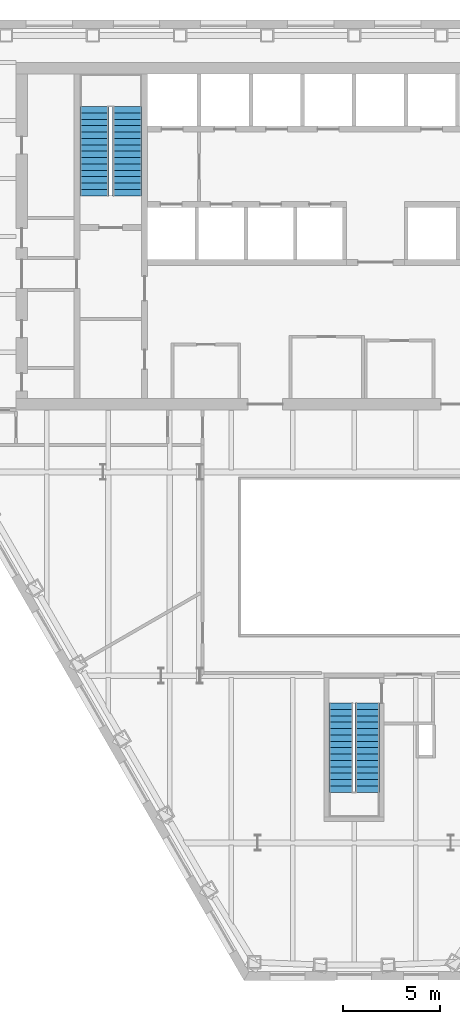
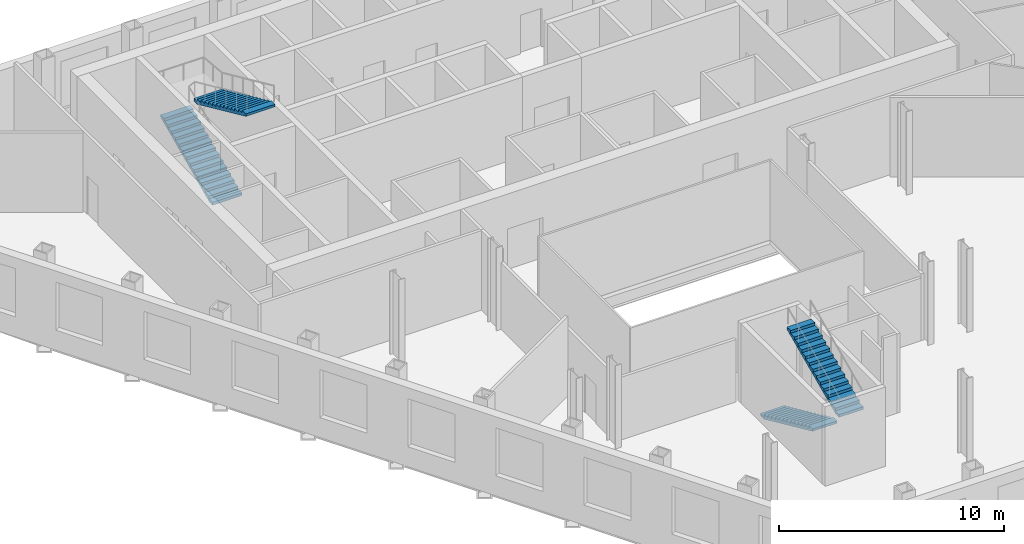
# One storey, part 9 of 11: 4 stair flights, 2 elements without a shape of their own.
"""IFC4 building model written with IfcOpenShell, lengths in metres."""

from ifc_helpers import new_model, si_unit, direction, frame, origin, place, context, subcontext, project, spatial, polygons, material, type_object, element, aggregate, save


model = new_model("IFC4")

# Units and contexts
model_context = context("Model", 3, precision=1e-05, world=origin(), true_north=direction((0.0, 1.0)))
body_context = subcontext(model_context, "Body", "Model", "MODEL_VIEW")
ifc_project = project(units=[si_unit("LENGTHUNIT", "METRE"), si_unit("AREAUNIT", "SQUARE_METRE"), si_unit("VOLUMEUNIT", "CUBIC_METRE"), si_unit("PLANEANGLEUNIT", "RADIAN"), si_unit("MASSUNIT", "GRAM", prefix="KILO")], contexts=[model_context])

# Site, building, storey
site_placement = place(None, origin())
site = spatial("IfcSite", under=ifc_project, at=site_placement, CompositionType="ELEMENT")
building_placement = place(site_placement, origin())
building = spatial("IfcBuilding", under=site, at=building_placement, Name="Njiva Tower", CompositionType="ELEMENT")
storey_placement = place(building_placement, frame((0.0, 0.0, 46.8)))
storey = spatial("IfcBuildingStorey", under=building, at=storey_placement, Name="L09", CompositionType="ELEMENT", Elevation=46.8)

# Stair, stair flights
ifc_material = material(Name="Concrete C40/50", Category="concrete")
stair_type_1 = type_object("IfcStairType", Name="ST1 Exit stair 1250", PredefinedType="HALF_TURN_STAIR", material=ifc_material)
stair_1_placement = place(storey_placement, origin())
stair_1 = element("IfcStair", 1, at=stair_1_placement, inside=storey, type_object=stair_type_1, Name="Stair C", PredefinedType="HALF_TURN_STAIR")
stair_flight_type_1 = type_object("IfcStairFlightType", Name="FL1 Stair flight 1250", PredefinedType="STRAIGHT", material=ifc_material)
stair_flight_1_placement = place(storey_placement, frame((-0.675, -15.16, 0.0), z_axis=(0.0, 0.0, 1.0), x_axis=(0.0, -1.0, 0.0)))
stair_flight_1 = element("IfcStairFlight", 2, at=stair_flight_1_placement, type_object=stair_flight_type_1, Name="ST-C flight 1", NumberOfRisers=15, NumberOfTreads=14, PredefinedType="STRAIGHT", RiserHeight=0.15, TreadLength=0.33, context=body_context, shape_type="Tessellation", body=[
    polygons([(0.0, 0.625, 0.0), (0.0, 0.3125, 0.0), (0.0, 0.0, 0.0), (0.0, -0.3125, 0.0), (0.0, -0.625, 0.0), (0.0, 0.625, 0.15), (0.0, 0.3125, 0.15), (0.0, 0.0, 0.15), (0.0, -0.3125, 0.15), (0.0, -0.625, 0.15), (0.33, 0.625, 0.15), (0.33, 0.3125, 0.15), (0.33, 0.0, 0.15), (0.33, -0.3125, 0.15), (0.33, -0.625, 0.15), (0.33, 0.625, 0.3), (0.33, 0.3125, 0.3), (0.33, 0.0, 0.3), (0.33, -0.3125, 0.3), (0.33, -0.625, 0.3), (0.66, 0.625, 0.3), (0.66, 0.3125, 0.3), (0.66, 0.0, 0.3), (0.66, -0.3125, 0.3), (0.66, -0.625, 0.3), (0.66, 0.625, 0.45), (0.66, 0.3125, 0.45), (0.66, 0.0, 0.45), (0.66, -0.3125, 0.45), (0.66, -0.625, 0.45), (0.99, 0.625, 0.45), (0.99, 0.3125, 0.45), (0.99, 0.0, 0.45), (0.99, -0.3125, 0.45), (0.99, -0.625, 0.45), (0.99, 0.625, 0.6), (0.99, 0.3125, 0.6), (0.99, 0.0, 0.6), (0.99, -0.3125, 0.6), (0.99, -0.625, 0.6), (1.32, 0.625, 0.6), (1.32, 0.3125, 0.6), (1.32, 0.0, 0.6), (1.32, -0.3125, 0.6), (1.32, -0.625, 0.6), (1.32, 0.625, 0.75), (1.32, 0.3125, 0.75), (1.32, 0.0, 0.75), (1.32, -0.3125, 0.75), (1.32, -0.625, 0.75), (1.65, 0.625, 0.75), (1.65, 0.3125, 0.75), (1.65, 0.0, 0.75), (1.65, -0.3125, 0.75), (1.65, -0.625, 0.75), (1.65, 0.625, 0.9), (1.65, 0.3125, 0.9), (1.65, 0.0, 0.9), (1.65, -0.3125, 0.9), (1.65, -0.625, 0.9), (1.98, 0.625, 0.9), (1.98, 0.3125, 0.9), (1.98, 0.0, 0.9), (1.98, -0.3125, 0.9), (1.98, -0.625, 0.9), (1.98, 0.625, 1.05), (1.98, 0.3125, 1.05), (1.98, 0.0, 1.05), (1.98, -0.3125, 1.05), (1.98, -0.625, 1.05), (2.31, 0.625, 1.05), (2.31, 0.3125, 1.05), (2.31, 0.0, 1.05), (2.31, -0.3125, 1.05), (2.31, -0.625, 1.05), (2.31, 0.625, 1.2), (2.31, 0.3125, 1.2), (2.31, 0.0, 1.2), (2.31, -0.3125, 1.2), (2.31, -0.625, 1.2), (2.64, 0.625, 1.2), (2.64, 0.3125, 1.2), (2.64, 0.0, 1.2), (2.64, -0.3125, 1.2), (2.64, -0.625, 1.2), (2.64, 0.625, 1.35), (2.64, 0.3125, 1.35), (2.64, 0.0, 1.35), (2.64, -0.3125, 1.35), (2.64, -0.625, 1.35), (2.97, 0.625, 1.35), (2.97, 0.3125, 1.35), (2.97, 0.0, 1.35), (2.97, -0.3125, 1.35), (2.97, -0.625, 1.35), (2.97, 0.625, 1.5), (2.97, 0.3125, 1.5), (2.97, 0.0, 1.5), (2.97, -0.3125, 1.5), (2.97, -0.625, 1.5), (3.3, 0.625, 1.5), (3.3, 0.3125, 1.5), (3.3, 0.0, 1.5), (3.3, -0.3125, 1.5), (3.3, -0.625, 1.5), (3.3, 0.625, 1.65), (3.3, 0.3125, 1.65), (3.3, 0.0, 1.65), (3.3, -0.3125, 1.65), (3.3, -0.625, 1.65), (3.63, 0.625, 1.65), (3.63, 0.3125, 1.65), (3.63, 0.0, 1.65), (3.63, -0.3125, 1.65), (3.63, -0.625, 1.65), (3.63, 0.625, 1.8), (3.63, 0.3125, 1.8), (3.63, 0.0, 1.8), (3.63, -0.3125, 1.8), (3.63, -0.625, 1.8), (3.96, 0.625, 1.8), (3.96, 0.3125, 1.8), (3.96, 0.0, 1.8), (3.96, -0.3125, 1.8), (3.96, -0.625, 1.8), (3.96, 0.625, 1.95), (3.96, 0.3125, 1.95), (3.96, 0.0, 1.95), (3.96, -0.3125, 1.95), (3.96, -0.625, 1.95), (4.29, 0.625, 1.95), (4.29, 0.3125, 1.95), (4.29, 0.0, 1.95), (4.29, -0.3125, 1.95), (4.29, -0.625, 1.95), (4.29, 0.625, 2.1), (4.29, 0.3125, 2.1), (4.29, 0.0, 2.1), (4.29, -0.3125, 2.1), (4.29, -0.625, 2.1), (4.62, 0.625, 2.1), (4.62, 0.3125, 2.1), (4.62, 0.0, 2.1), (4.62, -0.3125, 2.1), (4.62, -0.625, 2.1), (4.62, 0.625, 1.9682), (4.62, 0.3125, 1.9682), (4.62, 0.0, 1.9682), (4.62, -0.3125, 1.9682), (4.62, -0.625, 1.9682), (0.29, 0.625, 0.0), (0.29, 0.3125, 0.0), (0.29, 0.0, 0.0), (0.29, -0.3125, 0.0), (0.29, -0.625, 0.0)], [[[1, 6, 11, 16, 21, 26, 31, 36, 41, 46, 51, 56, 61, 66, 71, 76, 81, 86, 91, 96, 101, 106, 111, 116, 121, 126, 131, 136, 141, 146, 151]], [[155, 150, 145, 140, 135, 130, 125, 120, 115, 110, 105, 100, 95, 90, 85, 80, 75, 70, 65, 60, 55, 50, 45, 40, 35, 30, 25, 20, 15, 10, 5]], [[6, 1, 2, 7]], [[7, 2, 3, 8]], [[8, 3, 4, 9]], [[9, 4, 5, 10]], [[11, 6, 7, 12]], [[12, 7, 8, 13]], [[13, 8, 9, 14]], [[14, 9, 10, 15]], [[16, 11, 12, 17]], [[17, 12, 13, 18]], [[18, 13, 14, 19]], [[19, 14, 15, 20]], [[21, 16, 17, 22]], [[22, 17, 18, 23]], [[23, 18, 19, 24]], [[24, 19, 20, 25]], [[26, 21, 22, 27]], [[27, 22, 23, 28]], [[28, 23, 24, 29]], [[29, 24, 25, 30]], [[31, 26, 27, 32]], [[32, 27, 28, 33]], [[33, 28, 29, 34]], [[34, 29, 30, 35]], [[36, 31, 32, 37]], [[37, 32, 33, 38]], [[38, 33, 34, 39]], [[39, 34, 35, 40]], [[41, 36, 37, 42]], [[42, 37, 38, 43]], [[43, 38, 39, 44]], [[44, 39, 40, 45]], [[46, 41, 42, 47]], [[47, 42, 43, 48]], [[48, 43, 44, 49]], [[49, 44, 45, 50]], [[51, 46, 47, 52]], [[52, 47, 48, 53]], [[53, 48, 49, 54]], [[54, 49, 50, 55]], [[56, 51, 52, 57]], [[57, 52, 53, 58]], [[58, 53, 54, 59]], [[59, 54, 55, 60]], [[61, 56, 57, 62]], [[62, 57, 58, 63]], [[63, 58, 59, 64]], [[64, 59, 60, 65]], [[66, 61, 62, 67]], [[67, 62, 63, 68]], [[68, 63, 64, 69]], [[69, 64, 65, 70]], [[71, 66, 67, 72]], [[72, 67, 68, 73]], [[73, 68, 69, 74]], [[74, 69, 70, 75]], [[76, 71, 72, 77]], [[77, 72, 73, 78]], [[78, 73, 74, 79]], [[79, 74, 75, 80]], [[81, 76, 77, 82]], [[82, 77, 78, 83]], [[83, 78, 79, 84]], [[84, 79, 80, 85]], [[86, 81, 82, 87]], [[87, 82, 83, 88]], [[88, 83, 84, 89]], [[89, 84, 85, 90]], [[91, 86, 87, 92]], [[92, 87, 88, 93]], [[93, 88, 89, 94]], [[94, 89, 90, 95]], [[96, 91, 92, 97]], [[97, 92, 93, 98]], [[98, 93, 94, 99]], [[99, 94, 95, 100]], [[101, 96, 97, 102]], [[102, 97, 98, 103]], [[103, 98, 99, 104]], [[104, 99, 100, 105]], [[106, 101, 102, 107]], [[107, 102, 103, 108]], [[108, 103, 104, 109]], [[109, 104, 105, 110]], [[111, 106, 107, 112]], [[112, 107, 108, 113]], [[113, 108, 109, 114]], [[114, 109, 110, 115]], [[116, 111, 112, 117]], [[117, 112, 113, 118]], [[118, 113, 114, 119]], [[119, 114, 115, 120]], [[121, 116, 117, 122]], [[122, 117, 118, 123]], [[123, 118, 119, 124]], [[124, 119, 120, 125]], [[126, 121, 122, 127]], [[127, 122, 123, 128]], [[128, 123, 124, 129]], [[129, 124, 125, 130]], [[131, 126, 127, 132]], [[132, 127, 128, 133]], [[133, 128, 129, 134]], [[134, 129, 130, 135]], [[136, 131, 132, 137]], [[137, 132, 133, 138]], [[138, 133, 134, 139]], [[139, 134, 135, 140]], [[141, 136, 137, 142]], [[142, 137, 138, 143]], [[143, 138, 139, 144]], [[144, 139, 140, 145]], [[146, 141, 142, 147]], [[147, 142, 143, 148]], [[148, 143, 144, 149]], [[149, 144, 145, 150]], [[151, 146, 147, 152]], [[152, 147, 148, 153]], [[153, 148, 149, 154]], [[154, 149, 150, 155]], [[1, 151, 152, 2]], [[2, 152, 153, 3]], [[3, 153, 154, 4]], [[4, 154, 155, 5]]], closed=True),
])
stair_flight_2_placement = place(storey_placement, frame((0.675, -19.78, 2.25), z_axis=(0.0, 0.0, 1.0), x_axis=(0.0, 1.0, 0.0)))
stair_flight_2 = element("IfcStairFlight", 3, at=stair_flight_2_placement, type_object=stair_flight_type_1, Name="ST-C flight 2", NumberOfRisers=15, NumberOfTreads=14, PredefinedType="STRAIGHT", RiserHeight=0.15, TreadLength=0.33, context=body_context, shape_type="Tessellation", body=[
    polygons([(0.0, 0.625, 0.0), (0.0, 0.3125, 0.0), (0.0, 0.0, 0.0), (0.0, -0.3125, 0.0), (0.0, -0.625, 0.0), (0.0, 0.625, 0.15), (0.0, 0.3125, 0.15), (0.0, 0.0, 0.15), (0.0, -0.3125, 0.15), (0.0, -0.625, 0.15), (0.33, 0.625, 0.15), (0.33, 0.3125, 0.15), (0.33, 0.0, 0.15), (0.33, -0.3125, 0.15), (0.33, -0.625, 0.15), (0.33, 0.625, 0.3), (0.33, 0.3125, 0.3), (0.33, 0.0, 0.3), (0.33, -0.3125, 0.3), (0.33, -0.625, 0.3), (0.66, 0.625, 0.3), (0.66, 0.3125, 0.3), (0.66, 0.0, 0.3), (0.66, -0.3125, 0.3), (0.66, -0.625, 0.3), (0.66, 0.625, 0.45), (0.66, 0.3125, 0.45), (0.66, 0.0, 0.45), (0.66, -0.3125, 0.45), (0.66, -0.625, 0.45), (0.99, 0.625, 0.45), (0.99, 0.3125, 0.45), (0.99, 0.0, 0.45), (0.99, -0.3125, 0.45), (0.99, -0.625, 0.45), (0.99, 0.625, 0.6), (0.99, 0.3125, 0.6), (0.99, 0.0, 0.6), (0.99, -0.3125, 0.6), (0.99, -0.625, 0.6), (1.32, 0.625, 0.6), (1.32, 0.3125, 0.6), (1.32, 0.0, 0.6), (1.32, -0.3125, 0.6), (1.32, -0.625, 0.6), (1.32, 0.625, 0.75), (1.32, 0.3125, 0.75), (1.32, 0.0, 0.75), (1.32, -0.3125, 0.75), (1.32, -0.625, 0.75), (1.65, 0.625, 0.75), (1.65, 0.3125, 0.75), (1.65, 0.0, 0.75), (1.65, -0.3125, 0.75), (1.65, -0.625, 0.75), (1.65, 0.625, 0.9), (1.65, 0.3125, 0.9), (1.65, 0.0, 0.9), (1.65, -0.3125, 0.9), (1.65, -0.625, 0.9), (1.98, 0.625, 0.9), (1.98, 0.3125, 0.9), (1.98, 0.0, 0.9), (1.98, -0.3125, 0.9), (1.98, -0.625, 0.9), (1.98, 0.625, 1.05), (1.98, 0.3125, 1.05), (1.98, 0.0, 1.05), (1.98, -0.3125, 1.05), (1.98, -0.625, 1.05), (2.31, 0.625, 1.05), (2.31, 0.3125, 1.05), (2.31, 0.0, 1.05), (2.31, -0.3125, 1.05), (2.31, -0.625, 1.05), (2.31, 0.625, 1.2), (2.31, 0.3125, 1.2), (2.31, 0.0, 1.2), (2.31, -0.3125, 1.2), (2.31, -0.625, 1.2), (2.64, 0.625, 1.2), (2.64, 0.3125, 1.2), (2.64, 0.0, 1.2), (2.64, -0.3125, 1.2), (2.64, -0.625, 1.2), (2.64, 0.625, 1.35), (2.64, 0.3125, 1.35), (2.64, 0.0, 1.35), (2.64, -0.3125, 1.35), (2.64, -0.625, 1.35), (2.97, 0.625, 1.35), (2.97, 0.3125, 1.35), (2.97, 0.0, 1.35), (2.97, -0.3125, 1.35), (2.97, -0.625, 1.35), (2.97, 0.625, 1.5), (2.97, 0.3125, 1.5), (2.97, 0.0, 1.5), (2.97, -0.3125, 1.5), (2.97, -0.625, 1.5), (3.3, 0.625, 1.5), (3.3, 0.3125, 1.5), (3.3, 0.0, 1.5), (3.3, -0.3125, 1.5), (3.3, -0.625, 1.5), (3.3, 0.625, 1.65), (3.3, 0.3125, 1.65), (3.3, 0.0, 1.65), (3.3, -0.3125, 1.65), (3.3, -0.625, 1.65), (3.63, 0.625, 1.65), (3.63, 0.3125, 1.65), (3.63, 0.0, 1.65), (3.63, -0.3125, 1.65), (3.63, -0.625, 1.65), (3.63, 0.625, 1.8), (3.63, 0.3125, 1.8), (3.63, 0.0, 1.8), (3.63, -0.3125, 1.8), (3.63, -0.625, 1.8), (3.96, 0.625, 1.8), (3.96, 0.3125, 1.8), (3.96, 0.0, 1.8), (3.96, -0.3125, 1.8), (3.96, -0.625, 1.8), (3.96, 0.625, 1.95), (3.96, 0.3125, 1.95), (3.96, 0.0, 1.95), (3.96, -0.3125, 1.95), (3.96, -0.625, 1.95), (4.29, 0.625, 1.95), (4.29, 0.3125, 1.95), (4.29, 0.0, 1.95), (4.29, -0.3125, 1.95), (4.29, -0.625, 1.95), (4.29, 0.625, 2.1), (4.29, 0.3125, 2.1), (4.29, 0.0, 2.1), (4.29, -0.3125, 2.1), (4.29, -0.625, 2.1), (4.62, 0.625, 2.1), (4.62, 0.3125, 2.1), (4.62, 0.0, 2.1), (4.62, -0.3125, 2.1), (4.62, -0.625, 2.1), (4.62, 0.625, 1.9682), (4.62, 0.3125, 1.9682), (4.62, 0.0, 1.9682), (4.62, -0.3125, 1.9682), (4.62, -0.625, 1.9682), (0.29, 0.625, 0.0), (0.29, 0.3125, 0.0), (0.29, 0.0, 0.0), (0.29, -0.3125, 0.0), (0.29, -0.625, 0.0)], [[[1, 6, 11, 16, 21, 26, 31, 36, 41, 46, 51, 56, 61, 66, 71, 76, 81, 86, 91, 96, 101, 106, 111, 116, 121, 126, 131, 136, 141, 146, 151]], [[155, 150, 145, 140, 135, 130, 125, 120, 115, 110, 105, 100, 95, 90, 85, 80, 75, 70, 65, 60, 55, 50, 45, 40, 35, 30, 25, 20, 15, 10, 5]], [[6, 1, 2, 7]], [[7, 2, 3, 8]], [[8, 3, 4, 9]], [[9, 4, 5, 10]], [[11, 6, 7, 12]], [[12, 7, 8, 13]], [[13, 8, 9, 14]], [[14, 9, 10, 15]], [[16, 11, 12, 17]], [[17, 12, 13, 18]], [[18, 13, 14, 19]], [[19, 14, 15, 20]], [[21, 16, 17, 22]], [[22, 17, 18, 23]], [[23, 18, 19, 24]], [[24, 19, 20, 25]], [[26, 21, 22, 27]], [[27, 22, 23, 28]], [[28, 23, 24, 29]], [[29, 24, 25, 30]], [[31, 26, 27, 32]], [[32, 27, 28, 33]], [[33, 28, 29, 34]], [[34, 29, 30, 35]], [[36, 31, 32, 37]], [[37, 32, 33, 38]], [[38, 33, 34, 39]], [[39, 34, 35, 40]], [[41, 36, 37, 42]], [[42, 37, 38, 43]], [[43, 38, 39, 44]], [[44, 39, 40, 45]], [[46, 41, 42, 47]], [[47, 42, 43, 48]], [[48, 43, 44, 49]], [[49, 44, 45, 50]], [[51, 46, 47, 52]], [[52, 47, 48, 53]], [[53, 48, 49, 54]], [[54, 49, 50, 55]], [[56, 51, 52, 57]], [[57, 52, 53, 58]], [[58, 53, 54, 59]], [[59, 54, 55, 60]], [[61, 56, 57, 62]], [[62, 57, 58, 63]], [[63, 58, 59, 64]], [[64, 59, 60, 65]], [[66, 61, 62, 67]], [[67, 62, 63, 68]], [[68, 63, 64, 69]], [[69, 64, 65, 70]], [[71, 66, 67, 72]], [[72, 67, 68, 73]], [[73, 68, 69, 74]], [[74, 69, 70, 75]], [[76, 71, 72, 77]], [[77, 72, 73, 78]], [[78, 73, 74, 79]], [[79, 74, 75, 80]], [[81, 76, 77, 82]], [[82, 77, 78, 83]], [[83, 78, 79, 84]], [[84, 79, 80, 85]], [[86, 81, 82, 87]], [[87, 82, 83, 88]], [[88, 83, 84, 89]], [[89, 84, 85, 90]], [[91, 86, 87, 92]], [[92, 87, 88, 93]], [[93, 88, 89, 94]], [[94, 89, 90, 95]], [[96, 91, 92, 97]], [[97, 92, 93, 98]], [[98, 93, 94, 99]], [[99, 94, 95, 100]], [[101, 96, 97, 102]], [[102, 97, 98, 103]], [[103, 98, 99, 104]], [[104, 99, 100, 105]], [[106, 101, 102, 107]], [[107, 102, 103, 108]], [[108, 103, 104, 109]], [[109, 104, 105, 110]], [[111, 106, 107, 112]], [[112, 107, 108, 113]], [[113, 108, 109, 114]], [[114, 109, 110, 115]], [[116, 111, 112, 117]], [[117, 112, 113, 118]], [[118, 113, 114, 119]], [[119, 114, 115, 120]], [[121, 116, 117, 122]], [[122, 117, 118, 123]], [[123, 118, 119, 124]], [[124, 119, 120, 125]], [[126, 121, 122, 127]], [[127, 122, 123, 128]], [[128, 123, 124, 129]], [[129, 124, 125, 130]], [[131, 126, 127, 132]], [[132, 127, 128, 133]], [[133, 128, 129, 134]], [[134, 129, 130, 135]], [[136, 131, 132, 137]], [[137, 132, 133, 138]], [[138, 133, 134, 139]], [[139, 134, 135, 140]], [[141, 136, 137, 142]], [[142, 137, 138, 143]], [[143, 138, 139, 144]], [[144, 139, 140, 145]], [[146, 141, 142, 147]], [[147, 142, 143, 148]], [[148, 143, 144, 149]], [[149, 144, 145, 150]], [[151, 146, 147, 152]], [[152, 147, 148, 153]], [[153, 148, 149, 154]], [[154, 149, 150, 155]], [[1, 151, 152, 2]], [[2, 152, 153, 3]], [[3, 153, 154, 4]], [[4, 154, 155, 5]]], closed=True),
])
aggregate(stair_1, [stair_flight_1, stair_flight_2])

stair_type_2 = type_object("IfcStairType", Name="ST4 Exit stair 1500", PredefinedType="HALF_TURN_STAIR", material=ifc_material)
stair_2_placement = place(storey_placement, origin())
stair_2 = element("IfcStair", 4, at=stair_2_placement, inside=storey, type_object=stair_type_2, Name="Stair A", PredefinedType="HALF_TURN_STAIR")
stair_flight_type_2 = type_object("IfcStairFlightType", Name="FL4 Stair flight 1500", PredefinedType="STRAIGHT", material=ifc_material)
stair_flight_3_placement = place(storey_placement, frame((-13.45, 11.1, 0.0), z_axis=(0.0, 0.0, 1.0), x_axis=(0.0, 1.0, 0.0)))
stair_flight_3 = element("IfcStairFlight", 5, at=stair_flight_3_placement, type_object=stair_flight_type_2, Name="ST-A flight 1", NumberOfRisers=15, NumberOfTreads=14, PredefinedType="STRAIGHT", RiserHeight=0.15, TreadLength=0.33, context=body_context, shape_type="Tessellation", body=[
    polygons([(0.0, 0.75, 0.0), (0.0, 0.375, 0.0), (0.0, 0.0, 0.0), (0.0, -0.375, 0.0), (0.0, -0.75, 0.0), (0.0, 0.75, 0.15), (0.0, 0.375, 0.15), (0.0, 0.0, 0.15), (0.0, -0.375, 0.15), (0.0, -0.75, 0.15), (0.33, 0.75, 0.15), (0.33, 0.375, 0.15), (0.33, 0.0, 0.15), (0.33, -0.375, 0.15), (0.33, -0.75, 0.15), (0.33, 0.75, 0.3), (0.33, 0.375, 0.3), (0.33, 0.0, 0.3), (0.33, -0.375, 0.3), (0.33, -0.75, 0.3), (0.66, 0.75, 0.3), (0.66, 0.375, 0.3), (0.66, 0.0, 0.3), (0.66, -0.375, 0.3), (0.66, -0.75, 0.3), (0.66, 0.75, 0.45), (0.66, 0.375, 0.45), (0.66, 0.0, 0.45), (0.66, -0.375, 0.45), (0.66, -0.75, 0.45), (0.99, 0.75, 0.45), (0.99, 0.375, 0.45), (0.99, 0.0, 0.45), (0.99, -0.375, 0.45), (0.99, -0.75, 0.45), (0.99, 0.75, 0.6), (0.99, 0.375, 0.6), (0.99, 0.0, 0.6), (0.99, -0.375, 0.6), (0.99, -0.75, 0.6), (1.32, 0.75, 0.6), (1.32, 0.375, 0.6), (1.32, 0.0, 0.6), (1.32, -0.375, 0.6), (1.32, -0.75, 0.6), (1.32, 0.75, 0.75), (1.32, 0.375, 0.75), (1.32, 0.0, 0.75), (1.32, -0.375, 0.75), (1.32, -0.75, 0.75), (1.65, 0.75, 0.75), (1.65, 0.375, 0.75), (1.65, 0.0, 0.75), (1.65, -0.375, 0.75), (1.65, -0.75, 0.75), (1.65, 0.75, 0.9), (1.65, 0.375, 0.9), (1.65, 0.0, 0.9), (1.65, -0.375, 0.9), (1.65, -0.75, 0.9), (1.98, 0.75, 0.9), (1.98, 0.375, 0.9), (1.98, 0.0, 0.9), (1.98, -0.375, 0.9), (1.98, -0.75, 0.9), (1.98, 0.75, 1.05), (1.98, 0.375, 1.05), (1.98, 0.0, 1.05), (1.98, -0.375, 1.05), (1.98, -0.75, 1.05), (2.31, 0.75, 1.05), (2.31, 0.375, 1.05), (2.31, 0.0, 1.05), (2.31, -0.375, 1.05), (2.31, -0.75, 1.05), (2.31, 0.75, 1.2), (2.31, 0.375, 1.2), (2.31, 0.0, 1.2), (2.31, -0.375, 1.2), (2.31, -0.75, 1.2), (2.64, 0.75, 1.2), (2.64, 0.375, 1.2), (2.64, 0.0, 1.2), (2.64, -0.375, 1.2), (2.64, -0.75, 1.2), (2.64, 0.75, 1.35), (2.64, 0.375, 1.35), (2.64, 0.0, 1.35), (2.64, -0.375, 1.35), (2.64, -0.75, 1.35), (2.97, 0.75, 1.35), (2.97, 0.375, 1.35), (2.97, 0.0, 1.35), (2.97, -0.375, 1.35), (2.97, -0.75, 1.35), (2.97, 0.75, 1.5), (2.97, 0.375, 1.5), (2.97, 0.0, 1.5), (2.97, -0.375, 1.5), (2.97, -0.75, 1.5), (3.3, 0.75, 1.5), (3.3, 0.375, 1.5), (3.3, 0.0, 1.5), (3.3, -0.375, 1.5), (3.3, -0.75, 1.5), (3.3, 0.75, 1.65), (3.3, 0.375, 1.65), (3.3, 0.0, 1.65), (3.3, -0.375, 1.65), (3.3, -0.75, 1.65), (3.63, 0.75, 1.65), (3.63, 0.375, 1.65), (3.63, 0.0, 1.65), (3.63, -0.375, 1.65), (3.63, -0.75, 1.65), (3.63, 0.75, 1.8), (3.63, 0.375, 1.8), (3.63, 0.0, 1.8), (3.63, -0.375, 1.8), (3.63, -0.75, 1.8), (3.96, 0.75, 1.8), (3.96, 0.375, 1.8), (3.96, 0.0, 1.8), (3.96, -0.375, 1.8), (3.96, -0.75, 1.8), (3.96, 0.75, 1.95), (3.96, 0.375, 1.95), (3.96, 0.0, 1.95), (3.96, -0.375, 1.95), (3.96, -0.75, 1.95), (4.29, 0.75, 1.95), (4.29, 0.375, 1.95), (4.29, 0.0, 1.95), (4.29, -0.375, 1.95), (4.29, -0.75, 1.95), (4.29, 0.75, 2.1), (4.29, 0.375, 2.1), (4.29, 0.0, 2.1), (4.29, -0.375, 2.1), (4.29, -0.75, 2.1), (4.62, 0.75, 2.1), (4.62, 0.375, 2.1), (4.62, 0.0, 2.1), (4.62, -0.375, 2.1), (4.62, -0.75, 2.1), (4.62, 0.75, 1.9682), (4.62, 0.375, 1.9682), (4.62, 0.0, 1.9682), (4.62, -0.375, 1.9682), (4.62, -0.75, 1.9682), (0.29, 0.75, 0.0), (0.29, 0.375, 0.0), (0.29, 0.0, 0.0), (0.29, -0.375, 0.0), (0.29, -0.75, 0.0)], [[[1, 6, 11, 16, 21, 26, 31, 36, 41, 46, 51, 56, 61, 66, 71, 76, 81, 86, 91, 96, 101, 106, 111, 116, 121, 126, 131, 136, 141, 146, 151]], [[155, 150, 145, 140, 135, 130, 125, 120, 115, 110, 105, 100, 95, 90, 85, 80, 75, 70, 65, 60, 55, 50, 45, 40, 35, 30, 25, 20, 15, 10, 5]], [[6, 1, 2, 7]], [[7, 2, 3, 8]], [[8, 3, 4, 9]], [[9, 4, 5, 10]], [[11, 6, 7, 12]], [[12, 7, 8, 13]], [[13, 8, 9, 14]], [[14, 9, 10, 15]], [[16, 11, 12, 17]], [[17, 12, 13, 18]], [[18, 13, 14, 19]], [[19, 14, 15, 20]], [[21, 16, 17, 22]], [[22, 17, 18, 23]], [[23, 18, 19, 24]], [[24, 19, 20, 25]], [[26, 21, 22, 27]], [[27, 22, 23, 28]], [[28, 23, 24, 29]], [[29, 24, 25, 30]], [[31, 26, 27, 32]], [[32, 27, 28, 33]], [[33, 28, 29, 34]], [[34, 29, 30, 35]], [[36, 31, 32, 37]], [[37, 32, 33, 38]], [[38, 33, 34, 39]], [[39, 34, 35, 40]], [[41, 36, 37, 42]], [[42, 37, 38, 43]], [[43, 38, 39, 44]], [[44, 39, 40, 45]], [[46, 41, 42, 47]], [[47, 42, 43, 48]], [[48, 43, 44, 49]], [[49, 44, 45, 50]], [[51, 46, 47, 52]], [[52, 47, 48, 53]], [[53, 48, 49, 54]], [[54, 49, 50, 55]], [[56, 51, 52, 57]], [[57, 52, 53, 58]], [[58, 53, 54, 59]], [[59, 54, 55, 60]], [[61, 56, 57, 62]], [[62, 57, 58, 63]], [[63, 58, 59, 64]], [[64, 59, 60, 65]], [[66, 61, 62, 67]], [[67, 62, 63, 68]], [[68, 63, 64, 69]], [[69, 64, 65, 70]], [[71, 66, 67, 72]], [[72, 67, 68, 73]], [[73, 68, 69, 74]], [[74, 69, 70, 75]], [[76, 71, 72, 77]], [[77, 72, 73, 78]], [[78, 73, 74, 79]], [[79, 74, 75, 80]], [[81, 76, 77, 82]], [[82, 77, 78, 83]], [[83, 78, 79, 84]], [[84, 79, 80, 85]], [[86, 81, 82, 87]], [[87, 82, 83, 88]], [[88, 83, 84, 89]], [[89, 84, 85, 90]], [[91, 86, 87, 92]], [[92, 87, 88, 93]], [[93, 88, 89, 94]], [[94, 89, 90, 95]], [[96, 91, 92, 97]], [[97, 92, 93, 98]], [[98, 93, 94, 99]], [[99, 94, 95, 100]], [[101, 96, 97, 102]], [[102, 97, 98, 103]], [[103, 98, 99, 104]], [[104, 99, 100, 105]], [[106, 101, 102, 107]], [[107, 102, 103, 108]], [[108, 103, 104, 109]], [[109, 104, 105, 110]], [[111, 106, 107, 112]], [[112, 107, 108, 113]], [[113, 108, 109, 114]], [[114, 109, 110, 115]], [[116, 111, 112, 117]], [[117, 112, 113, 118]], [[118, 113, 114, 119]], [[119, 114, 115, 120]], [[121, 116, 117, 122]], [[122, 117, 118, 123]], [[123, 118, 119, 124]], [[124, 119, 120, 125]], [[126, 121, 122, 127]], [[127, 122, 123, 128]], [[128, 123, 124, 129]], [[129, 124, 125, 130]], [[131, 126, 127, 132]], [[132, 127, 128, 133]], [[133, 128, 129, 134]], [[134, 129, 130, 135]], [[136, 131, 132, 137]], [[137, 132, 133, 138]], [[138, 133, 134, 139]], [[139, 134, 135, 140]], [[141, 136, 137, 142]], [[142, 137, 138, 143]], [[143, 138, 139, 144]], [[144, 139, 140, 145]], [[146, 141, 142, 147]], [[147, 142, 143, 148]], [[148, 143, 144, 149]], [[149, 144, 145, 150]], [[151, 146, 147, 152]], [[152, 147, 148, 153]], [[153, 148, 149, 154]], [[154, 149, 150, 155]], [[1, 151, 152, 2]], [[2, 152, 153, 3]], [[3, 153, 154, 4]], [[4, 154, 155, 5]]], closed=True),
])
stair_flight_4_placement = place(storey_placement, frame((-11.75, 15.72, 2.25), z_axis=(0.0, 0.0, 1.0), x_axis=(0.0, -1.0, 0.0)))
stair_flight_4 = element("IfcStairFlight", 6, at=stair_flight_4_placement, type_object=stair_flight_type_2, Name="ST-A flight 2", NumberOfRisers=15, NumberOfTreads=14, PredefinedType="STRAIGHT", RiserHeight=0.15, TreadLength=0.33, context=body_context, shape_type="Tessellation", body=[
    polygons([(0.0, 0.75, 0.0), (0.0, 0.375, 0.0), (0.0, 0.0, 0.0), (0.0, -0.375, 0.0), (0.0, -0.75, 0.0), (0.0, 0.75, 0.15), (0.0, 0.375, 0.15), (0.0, 0.0, 0.15), (0.0, -0.375, 0.15), (0.0, -0.75, 0.15), (0.33, 0.75, 0.15), (0.33, 0.375, 0.15), (0.33, 0.0, 0.15), (0.33, -0.375, 0.15), (0.33, -0.75, 0.15), (0.33, 0.75, 0.3), (0.33, 0.375, 0.3), (0.33, 0.0, 0.3), (0.33, -0.375, 0.3), (0.33, -0.75, 0.3), (0.66, 0.75, 0.3), (0.66, 0.375, 0.3), (0.66, 0.0, 0.3), (0.66, -0.375, 0.3), (0.66, -0.75, 0.3), (0.66, 0.75, 0.45), (0.66, 0.375, 0.45), (0.66, 0.0, 0.45), (0.66, -0.375, 0.45), (0.66, -0.75, 0.45), (0.99, 0.75, 0.45), (0.99, 0.375, 0.45), (0.99, 0.0, 0.45), (0.99, -0.375, 0.45), (0.99, -0.75, 0.45), (0.99, 0.75, 0.6), (0.99, 0.375, 0.6), (0.99, 0.0, 0.6), (0.99, -0.375, 0.6), (0.99, -0.75, 0.6), (1.32, 0.75, 0.6), (1.32, 0.375, 0.6), (1.32, 0.0, 0.6), (1.32, -0.375, 0.6), (1.32, -0.75, 0.6), (1.32, 0.75, 0.75), (1.32, 0.375, 0.75), (1.32, 0.0, 0.75), (1.32, -0.375, 0.75), (1.32, -0.75, 0.75), (1.65, 0.75, 0.75), (1.65, 0.375, 0.75), (1.65, 0.0, 0.75), (1.65, -0.375, 0.75), (1.65, -0.75, 0.75), (1.65, 0.75, 0.9), (1.65, 0.375, 0.9), (1.65, 0.0, 0.9), (1.65, -0.375, 0.9), (1.65, -0.75, 0.9), (1.98, 0.75, 0.9), (1.98, 0.375, 0.9), (1.98, 0.0, 0.9), (1.98, -0.375, 0.9), (1.98, -0.75, 0.9), (1.98, 0.75, 1.05), (1.98, 0.375, 1.05), (1.98, 0.0, 1.05), (1.98, -0.375, 1.05), (1.98, -0.75, 1.05), (2.31, 0.75, 1.05), (2.31, 0.375, 1.05), (2.31, 0.0, 1.05), (2.31, -0.375, 1.05), (2.31, -0.75, 1.05), (2.31, 0.75, 1.2), (2.31, 0.375, 1.2), (2.31, 0.0, 1.2), (2.31, -0.375, 1.2), (2.31, -0.75, 1.2), (2.64, 0.75, 1.2), (2.64, 0.375, 1.2), (2.64, 0.0, 1.2), (2.64, -0.375, 1.2), (2.64, -0.75, 1.2), (2.64, 0.75, 1.35), (2.64, 0.375, 1.35), (2.64, 0.0, 1.35), (2.64, -0.375, 1.35), (2.64, -0.75, 1.35), (2.97, 0.75, 1.35), (2.97, 0.375, 1.35), (2.97, 0.0, 1.35), (2.97, -0.375, 1.35), (2.97, -0.75, 1.35), (2.97, 0.75, 1.5), (2.97, 0.375, 1.5), (2.97, 0.0, 1.5), (2.97, -0.375, 1.5), (2.97, -0.75, 1.5), (3.3, 0.75, 1.5), (3.3, 0.375, 1.5), (3.3, 0.0, 1.5), (3.3, -0.375, 1.5), (3.3, -0.75, 1.5), (3.3, 0.75, 1.65), (3.3, 0.375, 1.65), (3.3, 0.0, 1.65), (3.3, -0.375, 1.65), (3.3, -0.75, 1.65), (3.63, 0.75, 1.65), (3.63, 0.375, 1.65), (3.63, 0.0, 1.65), (3.63, -0.375, 1.65), (3.63, -0.75, 1.65), (3.63, 0.75, 1.8), (3.63, 0.375, 1.8), (3.63, 0.0, 1.8), (3.63, -0.375, 1.8), (3.63, -0.75, 1.8), (3.96, 0.75, 1.8), (3.96, 0.375, 1.8), (3.96, 0.0, 1.8), (3.96, -0.375, 1.8), (3.96, -0.75, 1.8), (3.96, 0.75, 1.95), (3.96, 0.375, 1.95), (3.96, 0.0, 1.95), (3.96, -0.375, 1.95), (3.96, -0.75, 1.95), (4.29, 0.75, 1.95), (4.29, 0.375, 1.95), (4.29, 0.0, 1.95), (4.29, -0.375, 1.95), (4.29, -0.75, 1.95), (4.29, 0.75, 2.1), (4.29, 0.375, 2.1), (4.29, 0.0, 2.1), (4.29, -0.375, 2.1), (4.29, -0.75, 2.1), (4.62, 0.75, 2.1), (4.62, 0.375, 2.1), (4.62, 0.0, 2.1), (4.62, -0.375, 2.1), (4.62, -0.75, 2.1), (4.62, 0.75, 1.9682), (4.62, 0.375, 1.9682), (4.62, 0.0, 1.9682), (4.62, -0.375, 1.9682), (4.62, -0.75, 1.9682), (0.29, 0.75, 0.0), (0.29, 0.375, 0.0), (0.29, 0.0, 0.0), (0.29, -0.375, 0.0), (0.29, -0.75, 0.0)], [[[1, 6, 11, 16, 21, 26, 31, 36, 41, 46, 51, 56, 61, 66, 71, 76, 81, 86, 91, 96, 101, 106, 111, 116, 121, 126, 131, 136, 141, 146, 151]], [[155, 150, 145, 140, 135, 130, 125, 120, 115, 110, 105, 100, 95, 90, 85, 80, 75, 70, 65, 60, 55, 50, 45, 40, 35, 30, 25, 20, 15, 10, 5]], [[6, 1, 2, 7]], [[7, 2, 3, 8]], [[8, 3, 4, 9]], [[9, 4, 5, 10]], [[11, 6, 7, 12]], [[12, 7, 8, 13]], [[13, 8, 9, 14]], [[14, 9, 10, 15]], [[16, 11, 12, 17]], [[17, 12, 13, 18]], [[18, 13, 14, 19]], [[19, 14, 15, 20]], [[21, 16, 17, 22]], [[22, 17, 18, 23]], [[23, 18, 19, 24]], [[24, 19, 20, 25]], [[26, 21, 22, 27]], [[27, 22, 23, 28]], [[28, 23, 24, 29]], [[29, 24, 25, 30]], [[31, 26, 27, 32]], [[32, 27, 28, 33]], [[33, 28, 29, 34]], [[34, 29, 30, 35]], [[36, 31, 32, 37]], [[37, 32, 33, 38]], [[38, 33, 34, 39]], [[39, 34, 35, 40]], [[41, 36, 37, 42]], [[42, 37, 38, 43]], [[43, 38, 39, 44]], [[44, 39, 40, 45]], [[46, 41, 42, 47]], [[47, 42, 43, 48]], [[48, 43, 44, 49]], [[49, 44, 45, 50]], [[51, 46, 47, 52]], [[52, 47, 48, 53]], [[53, 48, 49, 54]], [[54, 49, 50, 55]], [[56, 51, 52, 57]], [[57, 52, 53, 58]], [[58, 53, 54, 59]], [[59, 54, 55, 60]], [[61, 56, 57, 62]], [[62, 57, 58, 63]], [[63, 58, 59, 64]], [[64, 59, 60, 65]], [[66, 61, 62, 67]], [[67, 62, 63, 68]], [[68, 63, 64, 69]], [[69, 64, 65, 70]], [[71, 66, 67, 72]], [[72, 67, 68, 73]], [[73, 68, 69, 74]], [[74, 69, 70, 75]], [[76, 71, 72, 77]], [[77, 72, 73, 78]], [[78, 73, 74, 79]], [[79, 74, 75, 80]], [[81, 76, 77, 82]], [[82, 77, 78, 83]], [[83, 78, 79, 84]], [[84, 79, 80, 85]], [[86, 81, 82, 87]], [[87, 82, 83, 88]], [[88, 83, 84, 89]], [[89, 84, 85, 90]], [[91, 86, 87, 92]], [[92, 87, 88, 93]], [[93, 88, 89, 94]], [[94, 89, 90, 95]], [[96, 91, 92, 97]], [[97, 92, 93, 98]], [[98, 93, 94, 99]], [[99, 94, 95, 100]], [[101, 96, 97, 102]], [[102, 97, 98, 103]], [[103, 98, 99, 104]], [[104, 99, 100, 105]], [[106, 101, 102, 107]], [[107, 102, 103, 108]], [[108, 103, 104, 109]], [[109, 104, 105, 110]], [[111, 106, 107, 112]], [[112, 107, 108, 113]], [[113, 108, 109, 114]], [[114, 109, 110, 115]], [[116, 111, 112, 117]], [[117, 112, 113, 118]], [[118, 113, 114, 119]], [[119, 114, 115, 120]], [[121, 116, 117, 122]], [[122, 117, 118, 123]], [[123, 118, 119, 124]], [[124, 119, 120, 125]], [[126, 121, 122, 127]], [[127, 122, 123, 128]], [[128, 123, 124, 129]], [[129, 124, 125, 130]], [[131, 126, 127, 132]], [[132, 127, 128, 133]], [[133, 128, 129, 134]], [[134, 129, 130, 135]], [[136, 131, 132, 137]], [[137, 132, 133, 138]], [[138, 133, 134, 139]], [[139, 134, 135, 140]], [[141, 136, 137, 142]], [[142, 137, 138, 143]], [[143, 138, 139, 144]], [[144, 139, 140, 145]], [[146, 141, 142, 147]], [[147, 142, 143, 148]], [[148, 143, 144, 149]], [[149, 144, 145, 150]], [[151, 146, 147, 152]], [[152, 147, 148, 153]], [[153, 148, 149, 154]], [[154, 149, 150, 155]], [[1, 151, 152, 2]], [[2, 152, 153, 3]], [[3, 153, 154, 4]], [[4, 154, 155, 5]]], closed=True),
])
aggregate(stair_2, [stair_flight_3, stair_flight_4])

save(model, "model.ifc")
